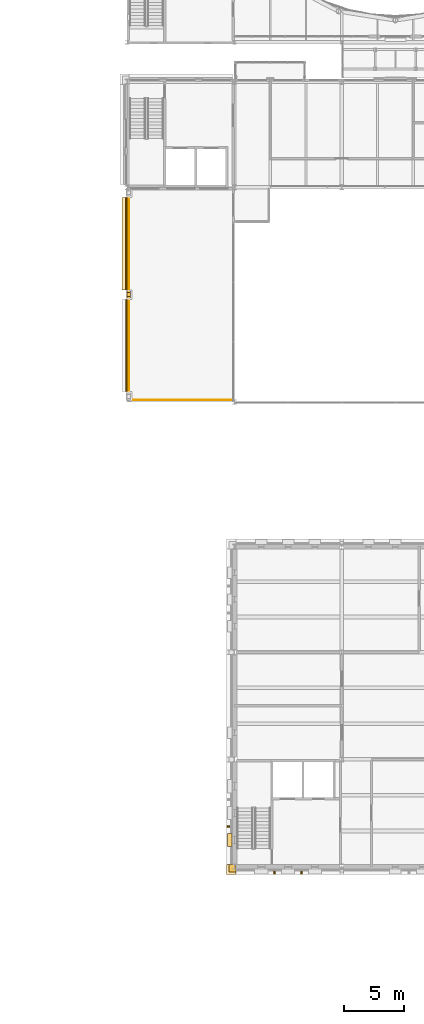
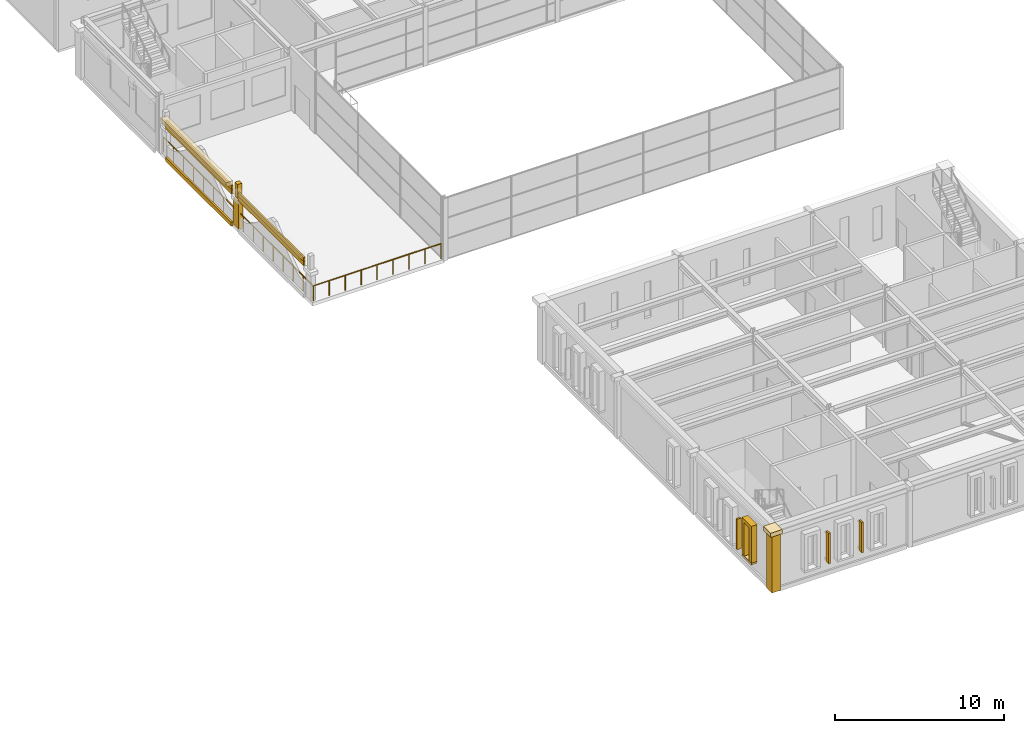
# One storey, part 62 of 70: 12 coverings, 3 shading devices, 1 railing.
"""IFC4 building model written with IfcOpenShell, lengths in metres."""

from ifc_helpers import new_model, si_unit, direction, frame, origin, origin_2d, place, context, subcontext, project, spatial, polyline, rectangle, circle, outline, extrude, material, layer, layer_set, type_object, element, save


model = new_model("IFC4")

# Units and contexts
model_context = context("Model", 3, precision=1e-05, world=origin(), true_north=direction((0.0, 1.0)))
body_context = subcontext(model_context, "Body", "Model", "MODEL_VIEW")
ifc_project = project(units=[si_unit("LENGTHUNIT", "METRE"), si_unit("AREAUNIT", "SQUARE_METRE"), si_unit("VOLUMEUNIT", "CUBIC_METRE"), si_unit("PLANEANGLEUNIT", "RADIAN"), si_unit("MASSUNIT", "GRAM", prefix="KILO")], contexts=[model_context])

# Site, building, storey
site_placement = place(None, origin())
site = spatial("IfcSite", under=ifc_project, at=site_placement, CompositionType="ELEMENT")
building_placement = place(site_placement, origin())
building = spatial("IfcBuilding", under=site, at=building_placement, Name="Kallimachos Central Library", CompositionType="ELEMENT")
storey_placement = place(building_placement, frame((0.0, 0.0, 18.89990234375)))
storey = spatial("IfcBuildingStorey", under=building, at=storey_placement, Name="L04", CompositionType="ELEMENT", Elevation=18.89990234375)

# Coverings
ifc_material_1 = material(Name="Glazed ceramic frieze, green")
ifc_layer_1 = layer(ifc_material_1, 0.10009765625)
ifc_layer_set_1 = layer_set([ifc_layer_1], Name="Glazed ceramic frieze, green")
covering_type_1 = type_object("IfcCoveringType", Name="Glazed ceramic frieze, green", PredefinedType="CLADDING", material=ifc_layer_set_1)
for number, where, z_axis, x_axis, name in (
    (1, (65.449951171875, 61.72509765625, 2.482421875), (0.0, 0.0, 1.0), (1.0, 0.0, 0.0), "Glazed ceramic frieze, green -L04-044"),
    (2, (65.449951171875, 70.27490234375, 2.482421875), (0.0, 0.0, 1.0), (1.0, 0.0, 0.0), "Glazed ceramic frieze, green -L04-045"),
):
    element("IfcCovering", number, at=place(storey_placement, frame(where, z_axis=z_axis, x_axis=x_axis)), inside=storey, type_object=covering_type_1, Name=name, PredefinedType="CLADDING", context=body_context, shape_type="SweptSolid", body=[
        extrude(rectangle(XDim=0.10009765625, YDim=7.75, at=origin_2d()), origin(), (0.0, 0.0, 1.0), 0.300048828125),
    ])
ifc_material_2 = material(Name="Glazed ceramic frieze, ochre")
ifc_layer_2 = layer(ifc_material_2, 0.10009765625)
ifc_layer_set_2 = layer_set([ifc_layer_2], Name="Glazed ceramic frieze, ochre")
covering_type_2 = type_object("IfcCoveringType", Name="Glazed ceramic frieze, ochre", PredefinedType="CLADDING", material=ifc_layer_set_2)
for number, where, z_axis, x_axis, name in (
    (3, (65.449951171875, 61.72509765625, 2.1826171875), (0.0, 0.0, 1.0), (1.0, 0.0, 0.0), "Glazed ceramic frieze, ochre -L04-044"),
    (4, (65.449951171875, 70.27490234375, 2.1826171875), (0.0, 0.0, 1.0), (1.0, 0.0, 0.0), "Glazed ceramic frieze, ochre -L04-045"),
):
    element("IfcCovering", number, at=place(storey_placement, frame(where, z_axis=z_axis, x_axis=x_axis)), inside=storey, type_object=covering_type_2, Name=name, PredefinedType="CLADDING", context=body_context, shape_type="SweptSolid", body=[
        extrude(rectangle(XDim=0.10009765625, YDim=7.75, at=origin_2d()), origin(), (0.0, 0.0, 1.0), 0.300048828125),
    ])

# Railing
ifc_material_3 = material(Name="Wrought iron")
railing_type = type_object("IfcRailingType", Name="Roof garden guard", PredefinedType="GUARDRAIL", material=ifc_material_3)
railing_placement = place(storey_placement, frame((74.35009765625, 57.14990234375, 0.0)))
element("IfcRailing", 5, at=railing_placement, inside=storey, type_object=railing_type, Name="West roof garden guard", PredefinedType="GUARDRAIL", context=body_context, shape_type="SweptSolid", body=[
    extrude(circle(Radius=0.02392578125, at=origin_2d()), frame((0.0, 0.0, 1.076171875), z_axis=(-1.0, 0.0, 0.0), x_axis=(0.0, -1.0, 0.0)), (0.0, 0.0, 1.0), 8.7001953125),
    extrude(circle(Radius=0.02392578125, at=origin_2d()), frame((-8.7001953125, 0.0, 1.076171875), z_axis=(0.0, 1.0, 0.0), x_axis=(-1.0, 0.0, 0.0)), (0.0, 0.0, 1.0), 17.7001953125),
    extrude(circle(Radius=0.02099609375, at=origin_2d()), origin(), (0.0, 0.0, 1.0), 1.052001953125),
    extrude(circle(Radius=0.02099609375, at=origin_2d()), frame((-1.08740234375, 0.0, 0.0)), (0.0, 0.0, 1.0), 1.052001953125),
    extrude(circle(Radius=0.02099609375, at=origin_2d()), frame((-2.175048828125, 0.0, 0.0)), (0.0, 0.0, 1.0), 1.052001953125),
    extrude(circle(Radius=0.02099609375, at=origin_2d()), frame((-3.2626953125, 0.0, 0.0)), (0.0, 0.0, 1.0), 1.052001953125),
    extrude(circle(Radius=0.02099609375, at=origin_2d()), frame((-4.35009765625, 0.0, 0.0)), (0.0, 0.0, 1.0), 1.052001953125),
    extrude(circle(Radius=0.02099609375, at=origin_2d()), frame((-5.4375, 0.0, 0.0)), (0.0, 0.0, 1.0), 1.052001953125),
    extrude(circle(Radius=0.02099609375, at=origin_2d()), frame((-6.525146484375, 0.0, 0.0)), (0.0, 0.0, 1.0), 1.052001953125),
    extrude(circle(Radius=0.02099609375, at=origin_2d()), frame((-7.61279296875, 0.0, 0.0)), (0.0, 0.0, 1.0), 1.052001953125),
    extrude(circle(Radius=0.02099609375, at=origin_2d()), frame((-8.7001953125, 0.0, 0.0)), (0.0, 0.0, 1.0), 1.052001953125),
    extrude(circle(Radius=0.02099609375, at=origin_2d()), frame((-8.7001953125, 1.179931640625, 0.0)), (0.0, 0.0, 1.0), 1.052001953125),
    extrude(circle(Radius=0.02099609375, at=origin_2d()), frame((-8.7001953125, 2.360107421875, 0.0)), (0.0, 0.0, 1.0), 1.052001953125),
    extrude(circle(Radius=0.02099609375, at=origin_2d()), frame((-8.7001953125, 3.5400390625, 0.0)), (0.0, 0.0, 1.0), 1.052001953125),
    extrude(circle(Radius=0.02099609375, at=origin_2d()), frame((-8.7001953125, 4.719970703125, 0.0)), (0.0, 0.0, 1.0), 1.052001953125),
    extrude(circle(Radius=0.02099609375, at=origin_2d()), frame((-8.7001953125, 5.900146484375, 0.0)), (0.0, 0.0, 1.0), 1.052001953125),
    extrude(circle(Radius=0.02099609375, at=origin_2d()), frame((-8.7001953125, 7.080078125, 0.0)), (0.0, 0.0, 1.0), 1.052001953125),
    extrude(circle(Radius=0.02099609375, at=origin_2d()), frame((-8.7001953125, 8.260009765625, 0.0)), (0.0, 0.0, 1.0), 1.052001953125),
    extrude(circle(Radius=0.02099609375, at=origin_2d()), frame((-8.7001953125, 9.440185546875, 0.0)), (0.0, 0.0, 1.0), 1.052001953125),
    extrude(circle(Radius=0.02099609375, at=origin_2d()), frame((-8.7001953125, 10.6201171875, 0.0)), (0.0, 0.0, 1.0), 1.052001953125),
    extrude(circle(Radius=0.02099609375, at=origin_2d()), frame((-8.7001953125, 11.800048828125, 0.0)), (0.0, 0.0, 1.0), 1.052001953125),
    extrude(circle(Radius=0.02099609375, at=origin_2d()), frame((-8.7001953125, 12.980224609375, 0.0)), (0.0, 0.0, 1.0), 1.052001953125),
    extrude(circle(Radius=0.02099609375, at=origin_2d()), frame((-8.7001953125, 14.16015625, 0.0)), (0.0, 0.0, 1.0), 1.052001953125),
    extrude(circle(Radius=0.02099609375, at=origin_2d()), frame((-8.7001953125, 15.340087890625, 0.0)), (0.0, 0.0, 1.0), 1.052001953125),
    extrude(circle(Radius=0.02099609375, at=origin_2d()), frame((-8.7001953125, 16.520263671875, 0.0)), (0.0, 0.0, 1.0), 1.052001953125),
    extrude(circle(Radius=0.02099609375, at=origin_2d()), frame((-8.7001953125, 17.7001953125, 0.0)), (0.0, 0.0, 1.0), 1.052001953125),
])

# Coverings
ifc_material_4 = material(Name="Pentelic marble attic moulding", Category="masonry")
ifc_layer_3 = layer(ifc_material_4, 0.1201171875)
ifc_layer_set_3 = layer_set([ifc_layer_3], Name="Stone attic moulding 300")
covering_type_3 = type_object("IfcCoveringType", Name="Stone attic moulding 300", PredefinedType="MOLDING", material=ifc_layer_set_3)
covering_1_placement = place(storey_placement, frame((65.43994140625, 70.27490234375, -0.14990234375), z_axis=(0.0, 0.0, 1.0), x_axis=(1.0, 0.0, 0.0)))
element("IfcCovering", 6, at=covering_1_placement, inside=storey, type_object=covering_type_3, Name="Stone attic moulding 300 -L04-045", PredefinedType="MOLDING", context=body_context, shape_type="SweptSolid", body=[
    extrude(rectangle(XDim=0.1201171875, YDim=7.75, at=origin_2d()), origin(), (0.0, 0.0, 1.0), 0.300048828125),
])
ifc_material_5 = material(Name="Pentelic marble cornice", Category="masonry")
ifc_layer_4 = layer(ifc_material_5, 0.449951171875)
ifc_layer_set_4 = layer_set([ifc_layer_4], Name="Stone cornice 450")
covering_type_4 = type_object("IfcCoveringType", Name="Stone cornice 450", PredefinedType="MOLDING", material=ifc_layer_set_4)
covering_2_placement = place(storey_placement, frame((65.27490234375, 70.27490234375, 2.80224609375), z_axis=(0.0, 0.0, 1.0), x_axis=(1.0, 0.0, 0.0)))
element("IfcCovering", 7, at=covering_2_placement, inside=storey, type_object=covering_type_4, Name="Stone cornice 450 -L04-045", PredefinedType="MOLDING", context=body_context, shape_type="SweptSolid", body=[
    extrude(rectangle(XDim=0.449951171875, YDim=7.75, at=origin_2d()), origin(), (0.0, 0.0, 1.0), 0.300048828125),
])
covering_3_placement = place(storey_placement, frame((74.25, 17.77490234375, 4.2001953125), z_axis=(0.0, 0.0, 1.0), x_axis=(1.0, 0.0, 0.0)))
element("IfcCovering", 8, at=covering_3_placement, inside=storey, type_object=covering_type_4, Name="Stone cornice 450 corner", PredefinedType="MOLDING", context=body_context, shape_type="SweptSolid", body=[
    extrude(rectangle(XDim=0.800048828125, YDim=0.85009765625, at=origin_2d()), origin(), (0.0, 0.0, 1.0), 0.300048828125),
])
ifc_material_6 = material(Name="Pentelic marble pilaster", Category="masonry")
ifc_layer_5 = layer(ifc_material_6, 0.25)
ifc_layer_set_5 = layer_set([ifc_layer_5], Name="Stone pilaster 250")
covering_type_5 = type_object("IfcCoveringType", Name="Stone pilaster 250", PredefinedType="CLADDING", material=ifc_layer_set_5)
covering_4_placement = place(storey_placement, frame((74.35009765625, 17.875, 0.0), z_axis=(0.0, 0.0, 1.0), x_axis=(1.0, 0.0, 0.0)))
element("IfcCovering", 9, at=covering_4_placement, inside=storey, type_object=covering_type_5, Name="Stone pilaster 250 corner", PredefinedType="CLADDING", context=body_context, shape_type="SweptSolid", body=[
    extrude(rectangle(XDim=0.60009765625, YDim=0.64990234375, at=origin_2d()), origin(), (0.0, 0.0, 1.0), 4.199951171875),
])
ifc_material_7 = material(Name="Pentelic marble finial", Category="masonry")
ifc_layer_6 = layer(ifc_material_7, 0.300048828125)
ifc_layer_set_6 = layer_set([ifc_layer_6], Name="Stone pinnacle finial 300")
covering_type_6 = type_object("IfcCoveringType", Name="Stone pinnacle finial 300", PredefinedType="MOLDING", material=ifc_layer_set_6)
covering_5_placement = place(storey_placement, frame((65.64990234375, 66.0, 2.150146484375), z_axis=(0.0, 0.0, 1.0), x_axis=(1.0, 0.0, 0.0)))
element("IfcCovering", 10, at=covering_5_placement, inside=storey, type_object=covering_type_6, Name="West wing roof edge pinnacle 2 finial", PredefinedType="MOLDING", context=body_context, shape_type="SweptSolid", body=[
    extrude(rectangle(XDim=0.300048828125, YDim=0.300048828125, at=origin_2d()), origin(), (0.0, 0.0, 1.0), 1.0),
])
ifc_material_8 = material(Name="Pentelic marble pinnacle", Category="masonry")
ifc_layer_7 = layer(ifc_material_8, 0.60009765625)
ifc_layer_set_7 = layer_set([ifc_layer_7], Name="Stone pinnacle shaft 600")
covering_type_7 = type_object("IfcCoveringType", Name="Stone pinnacle shaft 600", PredefinedType="MOLDING", material=ifc_layer_set_7)
covering_6_placement = place(storey_placement, frame((65.64990234375, 66.0, 0.000244140625), z_axis=(0.0, 0.0, 1.0), x_axis=(1.0, 0.0, 0.0)))
element("IfcCovering", 11, at=covering_6_placement, inside=storey, type_object=covering_type_7, Name="West wing roof edge pinnacle 2 shaft", PredefinedType="MOLDING", context=body_context, shape_type="SweptSolid", body=[
    extrude(rectangle(XDim=0.300048828125, YDim=0.60009765625, at=origin_2d()), origin(), (0.0, 0.0, 1.0), 1.89990234375),
])

# Shading devices
ifc_material_9 = material(Name="Pentelic marble fin", Category="masonry")
ifc_layer_8 = layer(ifc_material_9, 0.1201171875)
ifc_layer_set_8 = layer_set([ifc_layer_8], Name="Stone sun-shade fin 120")
shading_device_type = type_object("IfcShadingDeviceType", Name="Stone sun-shade fin 120", PredefinedType="USERDEFINED", material=ifc_layer_set_8)
for number, where, z_axis, x_axis, name in (
    (12, (77.875, 17.5, 0.89990234375), (0.0, 0.0, 1.0), (1.0, 0.0, 0.0), "Stone sun-shade fin 120 -L04-010"),
    (13, (80.125, 17.5, 0.89990234375), (0.0, 0.0, 1.0), (1.0, 0.0, 0.0), "Stone sun-shade fin 120 -L04-010"),
):
    element("IfcShadingDevice", number, at=place(storey_placement, frame(where, z_axis=z_axis, x_axis=x_axis)), inside=storey, type_object=shading_device_type, Name=name, ObjectType="FIN", PredefinedType="USERDEFINED", context=body_context, shape_type="SweptSolid", body=[
        extrude(rectangle(XDim=0.1201171875, YDim=0.300048828125, at=origin_2d()), origin(), (0.0, 0.0, 1.0), 2.199951171875),
    ])
shading_device_placement = place(storey_placement, frame((74.0, 21.375, 0.89990234375), z_axis=(0.0, 0.0, 1.0), x_axis=(1.0, 0.0, 0.0)))
element("IfcShadingDevice", 14, at=shading_device_placement, inside=storey, type_object=shading_device_type, Name="Stone sun-shade fin 120 -L04-016", ObjectType="FIN", PredefinedType="USERDEFINED", context=body_context, shape_type="SweptSolid", body=[
    extrude(rectangle(XDim=0.300048828125, YDim=0.1201171875, at=origin_2d()), origin(), (0.0, 0.0, 1.0), 2.199951171875),
])

# Coverings
ifc_material_10 = material(Name="Pentelic marble window sill", Category="masonry")
ifc_layer_9 = layer(ifc_material_10, 0.39990234375)
ifc_layer_set_9 = layer_set([ifc_layer_9], Name="Tower window sill block 400")
covering_type_8 = type_object("IfcCoveringType", Name="Tower window sill block 400", PredefinedType="MOLDING", material=ifc_layer_set_9)
covering_7_placement = place(storey_placement, frame((74.10009765625, 20.25, 0.780029296875), z_axis=(0.0, 0.0, 1.0), x_axis=(1.0, 0.0, 0.0)))
element("IfcCovering", 15, at=covering_7_placement, inside=storey, type_object=covering_type_8, Name="Tower window sill block", PredefinedType="MOLDING", context=body_context, shape_type="SweptSolid", body=[
    extrude(rectangle(XDim=0.39990234375, YDim=1.10009765625, at=origin_2d()), origin(), (0.0, 0.0, 1.0), 0.1201171875),
])
ifc_material_11 = material(Name="Pentelic marble window surround", Category="masonry")
ifc_layer_10 = layer(ifc_material_11, 0.39990234375)
ifc_layer_set_10 = layer_set([ifc_layer_10], Name="Tower window surround 400")
covering_type_9 = type_object("IfcCoveringType", Name="Tower window surround 400", PredefinedType="MOLDING", material=ifc_layer_set_10)
covering_8_placement = place(storey_placement, frame((73.89990234375, 19.699951171875, 0.900146484375), z_axis=(-1.0, 0.0, 0.0), x_axis=(0.0, 0.0, 1.0)))
element("IfcCovering", 16, at=covering_8_placement, inside=storey, type_object=covering_type_9, Name="Tower window surround -WIN-L04-017", PredefinedType="MOLDING", context=body_context, shape_type="SweptSolid", body=[
    extrude(outline(polyline([(0.0, 0.0), (2.64990234375, 0.0), (2.64990234375, 1.10009765625), (0.0, 1.10009765625), (0.0, 0.85009765625), (2.39990234375, 0.85009765625), (2.39990234375, 0.25), (0.0, 0.25), (0.0, 0.0)])), origin(), (0.0, 0.0, -1.0), 0.39990234375),
])

save(model, "model.ifc")
